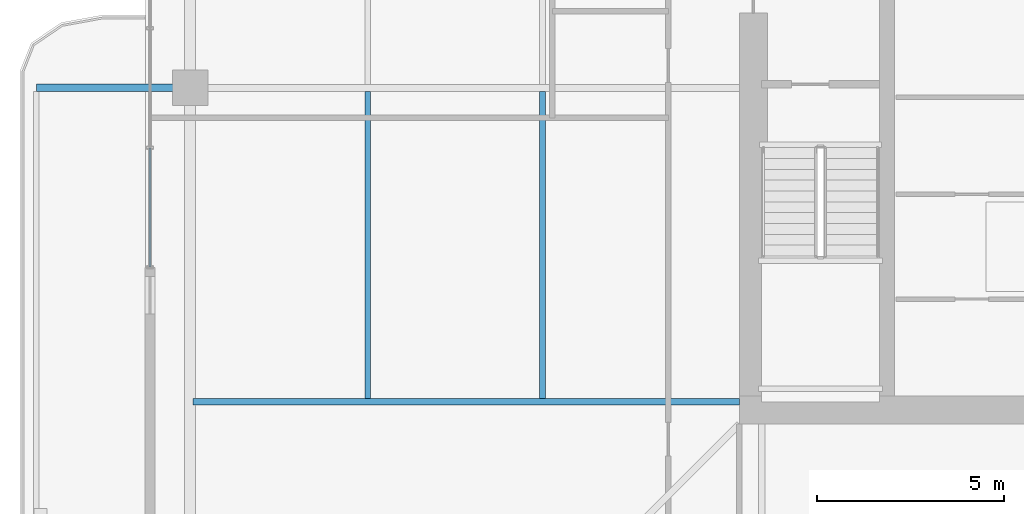
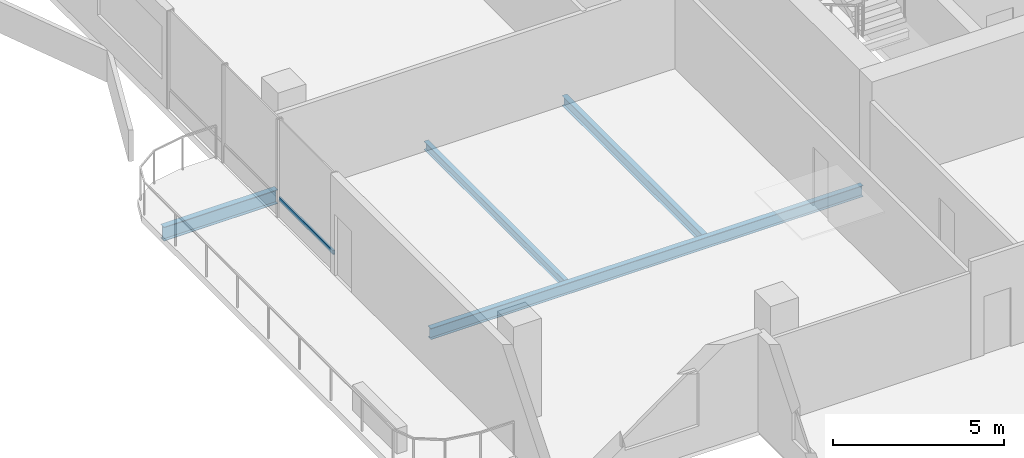
# One storey, part 5 of 24: 4 beams, 1 member, 1 element without a shape of its own.
"""IFC4 building model written with IfcOpenShell, lengths in metres."""

from ifc_helpers import new_model, si_unit, direction, frame, origin, origin_2d, place, context, subcontext, project, spatial, hollow_rectangle, i_section, extrude, material, layer, layer_set, material_profile, profile_set, type_object, element, aggregate, save


model = new_model("IFC4")

# Units and contexts
model_context = context("Model", 3, precision=1e-05, world=origin(), true_north=direction((0.0, 1.0)))
body_context = subcontext(model_context, "Body", "Model", "MODEL_VIEW")
ifc_project = project(units=[si_unit("LENGTHUNIT", "METRE"), si_unit("AREAUNIT", "SQUARE_METRE"), si_unit("VOLUMEUNIT", "CUBIC_METRE"), si_unit("PLANEANGLEUNIT", "RADIAN"), si_unit("MASSUNIT", "GRAM", prefix="KILO")], contexts=[model_context])

# Site, building, storey
site_placement = place(None, origin())
site = spatial("IfcSite", under=ifc_project, at=site_placement, CompositionType="ELEMENT")
building_placement = place(site_placement, origin())
building = spatial("IfcBuilding", under=site, at=building_placement, Name="Belovzor Exchange Tower", CompositionType="ELEMENT")
storey_placement = place(building_placement, frame((0.0, 0.0, 261.60009765625)))
storey = spatial("IfcBuildingStorey", under=building, at=storey_placement, Name="L65", CompositionType="ELEMENT", Elevation=261.60009765625)

# Beams
ifc_material_1 = material(Name="Steel S355", Category="steel")
ifc_material_profile_1 = material_profile(ifc_material_1, i_section(OverallWidth=0.199951171875, OverallDepth=0.5, WebThickness=0.01025390625, FlangeThickness=0.01611328125, at=origin_2d()))
ifc_profile_set_1 = profile_set([ifc_material_profile_1], Name="Steel S355")
beam_type_1 = type_object("IfcBeamType", Name="Planted Balcony Cantilever Beam IPE 500", PredefinedType="BEAM", material=ifc_profile_set_1)
beam_1_placement = place(storey_placement, frame((4.839111328125, 28.800048828125, -0.5), z_axis=(-1.0, 0.0, 0.0), x_axis=(0.0, -1.0, 0.0)))
element("IfcBeam", 1, at=beam_1_placement, inside=storey, type_object=beam_type_1, Name="BC-500 Planted Balcony Cantilever Beam IPE 500", PredefinedType="BEAM", context=body_context, shape_type="SweptSolid", body=[
    extrude(i_section(OverallWidth=0.199951171875, OverallDepth=0.5, WebThickness=0.01025390625, FlangeThickness=0.01611328125, at=origin_2d()), origin(), (0.0, 0.0, 1.0), 3.85009765625),
])
ifc_material_2 = material(Name="Steel S355", Category="steel")
ifc_material_profile_2 = material_profile(ifc_material_2, i_section(OverallWidth=0.169921875, OverallDepth=0.360107421875, WebThickness=0.008056640625, FlangeThickness=0.0126953125, at=origin_2d()))
ifc_profile_set_2 = profile_set([ifc_material_profile_2], Name="Steel S355")
beam_type_2 = type_object("IfcBeamType", Name="Secondary Infill Floor Joist IPE 360", PredefinedType="BEAM", material=ifc_profile_set_2)
beam_2_placement = place(storey_placement, frame((14.534912109375, 20.489990234375, -0.43017578125), z_axis=(0.0, 1.0, 0.0), x_axis=(-1.0, 0.0, 0.0)))
element("IfcBeam", 2, at=beam_2_placement, inside=storey, type_object=beam_type_2, Name="FJ-360 Secondary Infill Floor Joist IPE 360", PredefinedType="BEAM", context=body_context, shape_type="SweptSolid", body=[
    extrude(i_section(OverallWidth=0.169921875, OverallDepth=0.360107421875, WebThickness=0.008056640625, FlangeThickness=0.0126953125, at=origin_2d()), origin(), (0.0, 0.0, 1.0), 8.219970703125),
])
ifc_material_3 = material(Name="Steel S355", Category="steel")
ifc_material_profile_3 = material_profile(ifc_material_3, i_section(OverallWidth=0.14990234375, OverallDepth=0.300048828125, WebThickness=0.007080078125, FlangeThickness=0.0107421875, at=origin_2d()))
ifc_profile_set_3 = profile_set([ifc_material_profile_3], Name="Steel S355")
beam_type_3 = type_object("IfcBeamType", Name="Secondary Trim Floor Joist IPE 300", PredefinedType="BEAM", material=ifc_profile_set_3)
beam_3_placement = place(storey_placement, frame((9.85498046875, 20.489990234375, -0.400146484375), z_axis=(0.0, 1.0, 0.0), x_axis=(-1.0, 0.0, 0.0)))
element("IfcBeam", 3, at=beam_3_placement, inside=storey, type_object=beam_type_3, Name="FJ-300 Secondary Trim Floor Joist IPE 300", PredefinedType="BEAM", context=body_context, shape_type="SweptSolid", body=[
    extrude(i_section(OverallWidth=0.14990234375, OverallDepth=0.300048828125, WebThickness=0.007080078125, FlangeThickness=0.0107421875, at=origin_2d()), origin(), (0.0, 0.0, 1.0), 8.219970703125),
])

# Curtain wall, member
ifc_material_4 = material(Name="Anodised Aluminium Framing", Category="aluminium")
ifc_layer = layer(ifc_material_4, 0.179931640625)
ifc_layer_set = layer_set([ifc_layer], Name="Anodised Aluminium Framing")
curtain_wall_type = type_object("IfcCurtainWallType", Name="Recessed Loggia Low-Iron Triple-Glazed Curtain Wall", PredefinedType="NOTDEFINED", material=ifc_layer_set)
curtain_wall_placement = place(storey_placement, origin())
curtain_wall = element("IfcCurtainWall", 4, at=curtain_wall_placement, inside=storey, type_object=curtain_wall_type, Name="CW3 Recessed Loggia Low-Iron Triple-Glazed Curtain Wall L65", PredefinedType="NOTDEFINED")
ifc_material_5 = material(Name="Steel S355", Category="steel")
ifc_material_profile_4 = material_profile(ifc_material_5, hollow_rectangle(XDim=0.06005859375, YDim=0.14990234375, WallThickness=0.00390625, at=origin_2d()))
ifc_profile_set_4 = profile_set([ifc_material_profile_4], Name="Steel S355")
member_type = type_object("IfcMemberType", Name="Thermally Broken Curtain Wall Transom 150x60", PredefinedType="USERDEFINED", material=ifc_profile_set_4)
member_placement = place(storey_placement, frame((4.030029296875, 24.008056640625, 0.6298828125), z_axis=(0.0, 1.0, 0.0), x_axis=(-1.0, 0.0, 0.0)))
member = element("IfcMember", 5, at=member_placement, type_object=member_type, Name="CW-T150 Curtain Wall Transom 1", ObjectType="TRANSOM", PredefinedType="USERDEFINED", context=body_context, shape_type="SweptSolid", body=[
    extrude(hollow_rectangle(XDim=0.06005859375, YDim=0.14990234375, WallThickness=0.00390625, at=origin_2d()), origin(), (0.0, 0.0, 1.0), 3.183837890625),
])
aggregate(curtain_wall, [member])

# Beam
ifc_material_6 = material(Name="Steel S355", Category="steel")
ifc_material_profile_5 = material_profile(ifc_material_6, i_section(OverallWidth=0.179931640625, OverallDepth=0.39990234375, WebThickness=0.008544921875, FlangeThickness=0.013427734375, at=origin_2d()))
ifc_profile_set_5 = profile_set([ifc_material_profile_5], Name="Steel S355")
beam_type_4 = type_object("IfcBeamType", Name="Zone 5-6 Radial Composite Floor Beam IPE 400", PredefinedType="BEAM", material=ifc_profile_set_5)
beam_4_placement = place(storey_placement, frame((19.800048828125, 20.39990234375, -0.4501953125), z_axis=(-1.0, 0.0, 0.0), x_axis=(0.0, -1.0, 0.0)))
element("IfcBeam", 6, at=beam_4_placement, inside=storey, type_object=beam_type_4, Name="FB-400 Zone 5-6 Radial Composite Floor Beam IPE 400", PredefinedType="BEAM", context=body_context, shape_type="SweptSolid", body=[
    extrude(i_section(OverallWidth=0.179931640625, OverallDepth=0.39990234375, WebThickness=0.008544921875, FlangeThickness=0.013427734375, at=origin_2d()), origin(), (0.0, 0.0, 1.0), 14.625),
])

save(model, "model.ifc")
